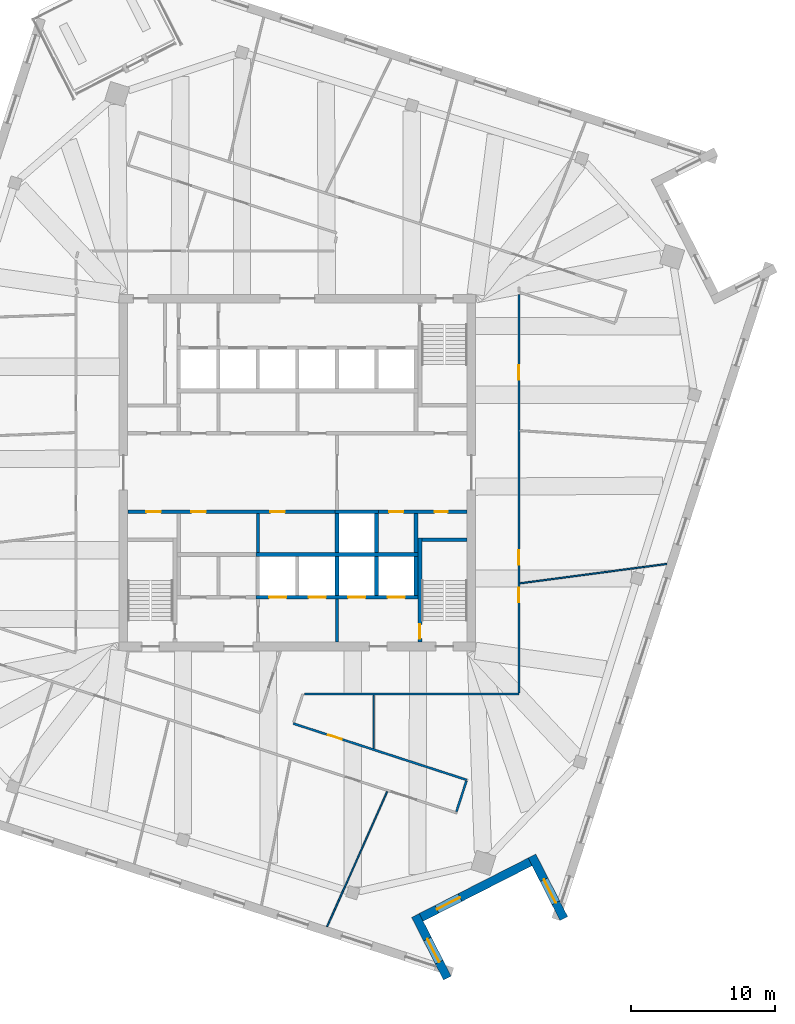
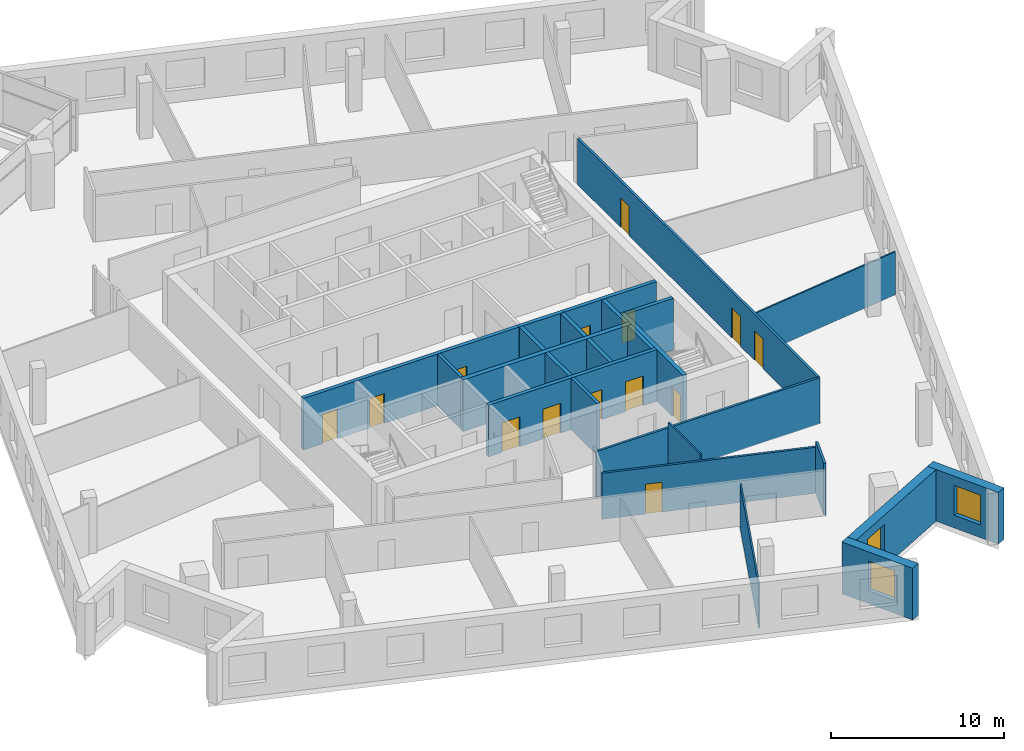
# One storey, part 7 of 13: 25 walls, 14 doors, 3 windows, 17 openings.
"""IFC4 building model written with IfcOpenShell, lengths in metres."""

from ifc_helpers import new_model, si_unit, direction, frame, frame_2d, origin, place, context, subcontext, project, spatial, rectangle, extrude, material, layer, layer_set, type_object, element, fill, save


model = new_model("IFC4")

# Units and contexts
model_context = context("Model", 3, precision=1e-05, world=origin(), true_north=direction((0.0, 1.0)))
body_context = subcontext(model_context, "Body", "Model", "MODEL_VIEW")
ifc_project = project(units=[si_unit("LENGTHUNIT", "METRE"), si_unit("AREAUNIT", "SQUARE_METRE"), si_unit("VOLUMEUNIT", "CUBIC_METRE"), si_unit("PLANEANGLEUNIT", "RADIAN"), si_unit("MASSUNIT", "GRAM", prefix="KILO")], contexts=[model_context])

# Site, building, storey
site_placement = place(None, origin())
site = spatial("IfcSite", under=ifc_project, at=site_placement, CompositionType="ELEMENT")
building_placement = place(site_placement, origin())
building = spatial("IfcBuilding", under=site, at=building_placement, Name="Dilmun Exchange Tower", CompositionType="ELEMENT")
storey_placement = place(building_placement, frame((0.0, 0.0, 320.5)))
storey = spatial("IfcBuildingStorey", under=building, at=storey_placement, Name="L76", CompositionType="ELEMENT", Elevation=320.5)

# Walls
ifc_material_1 = material(Name="Concrete C40/50", Category="concrete")
ifc_layer_1 = layer(ifc_material_1, 0.199951171875)
ifc_layer_set_1 = layer_set([ifc_layer_1], Name="Concrete C40/50")
wall_type_1 = type_object("IfcWallType", Name="Core partition wall 200", PredefinedType="PARTITIONING", material=ifc_layer_set_1)
wall_1_placement = place(storey_placement, frame((2.75, -11.794921875, 0.0), z_axis=(0.0, 0.0, 1.0), x_axis=(0.0, 1.0, 0.0)))
element("IfcWall", 1, at=wall_1_placement, inside=storey, type_object=wall_type_1, Name="L76 core partition wall 02", PredefinedType="PARTITIONING", context=body_context, shape_type="SweptSolid", body=[
    extrude(rectangle(XDim=2.989990234375, YDim=0.199951171875, at=frame_2d((1.4951171875, 0.0))), origin(), (0.0, 0.0, 1.0), 3.64990234375),
])
wall_2_placement = place(storey_placement, frame((-2.75, -5.544921875, 0.0), z_axis=(0.0, 0.0, 1.0), x_axis=(0.0, 1.0, 0.0)))
element("IfcWall", 2, at=wall_2_placement, inside=storey, type_object=wall_type_1, Name="L76 core partition wall 08", PredefinedType="PARTITIONING", context=body_context, shape_type="SweptSolid", body=[
    extrude(rectangle(XDim=2.68994140625, YDim=0.199951171875, at=frame_2d((1.344970703125, 0.0))), origin(), (0.0, 0.0, 1.0), 3.64990234375),
])
ifc_layer_2 = layer(ifc_material_1, 0.25)
ifc_layer_set_2 = layer_set([ifc_layer_2], Name="Concrete C40/50")
wall_type_2 = type_object("IfcWallType", Name="Core partition wall 250", PredefinedType="PARTITIONING", material=ifc_layer_set_2)
wall_3_placement = place(storey_placement, frame((8.25, -5.544921875, 0.0), z_axis=(0.0, 0.0, 1.0), x_axis=(0.0, 1.0, 0.0)))
element("IfcWall", 3, at=wall_3_placement, inside=storey, type_object=wall_type_2, Name="L76 core partition wall 09", PredefinedType="PARTITIONING", context=body_context, shape_type="SweptSolid", body=[
    extrude(rectangle(XDim=2.68994140625, YDim=0.25, at=frame_2d((1.344970703125, 0.0))), origin(), (0.0, 0.0, 1.0), 3.64990234375),
])

# Wall, openings, doors
wall_4_placement = place(storey_placement, frame((-11.794921875, -2.72509765625, 0.0), z_axis=(0.0, 0.0, 1.0), x_axis=(1.0, 0.0, 0.0)))
wall_4 = element("IfcWall", 4, at=wall_4_placement, inside=storey, type_object=wall_type_2, Name="L76 core partition wall 10", PredefinedType="PARTITIONING", context=body_context, shape_type="SweptSolid", body=[
    extrude(rectangle(XDim=14.4150390625, YDim=0.25, at=frame_2d((7.20751953125, 0.0))), origin(), (0.0, 0.0, 1.0), 3.64990234375),
])
opening_1_placement = place(wall_4_placement, frame((1.294921875, 0.0, 0.0)))
opening_1 = element("IfcOpeningElement", 5, at=opening_1_placement, cuts=wall_4, Name="Opening CD4", PredefinedType="OPENING", context=body_context, shape_type="SweptSolid", body=[
    extrude(rectangle(XDim=1.0, YDim=2.10009765625, at=frame_2d((0.5, 1.050048828125))), frame((0.0, 0.135009765625, 0.0), z_axis=(0.0, -1.0, 0.0), x_axis=(1.0, 0.0, 0.0)), (0.0, 0.0, 1.0), 0.27001953125),
])
opening_2_placement = place(wall_4_placement, frame((4.419921875, 0.0, 0.0)))
opening_2 = element("IfcOpeningElement", 6, at=opening_2_placement, cuts=wall_4, Name="Opening CD4", PredefinedType="OPENING", context=body_context, shape_type="SweptSolid", body=[
    extrude(rectangle(XDim=1.0, YDim=2.10009765625, at=frame_2d((0.5, 1.050048828125))), frame((0.0, 0.135009765625, 0.0), z_axis=(0.0, -1.0, 0.0), x_axis=(1.0, 0.0, 0.0)), (0.0, 0.0, 1.0), 0.27001953125),
])
opening_3_placement = place(wall_4_placement, frame((9.919921875, 0.0, 0.0)))
opening_3 = element("IfcOpeningElement", 7, at=opening_3_placement, cuts=wall_4, Name="Opening CD4", PredefinedType="OPENING", context=body_context, shape_type="SweptSolid", body=[
    extrude(rectangle(XDim=1.0, YDim=2.10009765625, at=frame_2d((0.5, 1.050048828125))), frame((0.0, 0.135009765625, 0.0), z_axis=(0.0, -1.0, 0.0), x_axis=(1.0, 0.0, 0.0)), (0.0, 0.0, 1.0), 0.27001953125),
])
ifc_material_2 = material(Name="Fire-rated steel door set", Category="steel")
door_type_1 = type_object("IfcDoorType", Name="Core room door 1000x2100", OperationType="SINGLE_SWING_LEFT", PredefinedType="DOOR", material=ifc_material_2)
door_1_placement = place(opening_1_placement, origin())
door_1 = element("IfcDoor", 8, at=door_1_placement, inside=storey, type_object=door_type_1, Name="L76 door Accessible WC", OperationType="SINGLE_SWING_LEFT", OverallHeight=2.10009765625, OverallWidth=1.0, PredefinedType="DOOR", context=body_context, shape_type="SweptSolid", body=[
    extrude(rectangle(XDim=1.0, YDim=2.10009765625, at=frame_2d((0.5, 1.050048828125))), frame((0.0, 0.02490234375, 0.0), z_axis=(0.0, -1.0, 0.0), x_axis=(1.0, 0.0, 0.0)), (0.0, 0.0, 1.0), 0.050048828125),
])
fill(opening_1, door_1)
door_2_placement = place(opening_2_placement, origin())
door_2 = element("IfcDoor", 9, at=door_2_placement, inside=storey, type_object=door_type_1, Name="L76 door Print and mail room", OperationType="SINGLE_SWING_LEFT", OverallHeight=2.10009765625, OverallWidth=1.0, PredefinedType="DOOR", context=body_context, shape_type="SweptSolid", body=[
    extrude(rectangle(XDim=1.0, YDim=2.10009765625, at=frame_2d((0.5, 1.050048828125))), frame((0.0, 0.02490234375, 0.0), z_axis=(0.0, -1.0, 0.0), x_axis=(1.0, 0.0, 0.0)), (0.0, 0.0, 1.0), 0.050048828125),
])
fill(opening_2, door_2)
door_3_placement = place(opening_3_placement, origin())
door_3 = element("IfcDoor", 10, at=door_3_placement, inside=storey, type_object=door_type_1, Name="L76 door Mechanical room", OperationType="SINGLE_SWING_LEFT", OverallHeight=2.10009765625, OverallWidth=1.0, PredefinedType="DOOR", context=body_context, shape_type="SweptSolid", body=[
    extrude(rectangle(XDim=1.0, YDim=2.10009765625, at=frame_2d((0.5, 1.050048828125))), frame((0.0, 0.02490234375, 0.0), z_axis=(0.0, -1.0, 0.0), x_axis=(1.0, 0.0, 0.0)), (0.0, 0.0, 1.0), 0.050048828125),
])
fill(opening_3, door_3)

wall_5_placement = place(storey_placement, frame((5.6298828125, -2.72509765625, 0.0), z_axis=(0.0, 0.0, 1.0), x_axis=(1.0, 0.0, 0.0)))
wall_5 = element("IfcWall", 11, at=wall_5_placement, inside=storey, type_object=wall_type_2, Name="L76 core partition wall 11", PredefinedType="PARTITIONING", context=body_context, shape_type="SweptSolid", body=[
    extrude(rectangle(XDim=6.1650390625, YDim=0.25, at=frame_2d((3.08251953125, 0.0))), origin(), (0.0, 0.0, 1.0), 3.64990234375),
])
opening_4_placement = place(wall_5_placement, frame((0.7451171875, 0.0, 0.0)))
opening_4 = element("IfcOpeningElement", 12, at=opening_4_placement, cuts=wall_5, Name="Opening CD4", PredefinedType="OPENING", context=body_context, shape_type="SweptSolid", body=[
    extrude(rectangle(XDim=1.0, YDim=2.10009765625, at=frame_2d((0.5, 1.050048828125))), frame((0.0, 0.135009765625, 0.0), z_axis=(0.0, -1.0, 0.0), x_axis=(1.0, 0.0, 0.0)), (0.0, 0.0, 1.0), 0.27001953125),
])
opening_5_placement = place(wall_5_placement, frame((3.919921875, 0.0, 0.0)))
opening_5 = element("IfcOpeningElement", 13, at=opening_5_placement, cuts=wall_5, Name="Opening CD6", PredefinedType="OPENING", context=body_context, shape_type="SweptSolid", body=[
    extrude(rectangle(XDim=0.89990234375, YDim=2.10009765625, at=frame_2d((0.449951171875, 1.050048828125))), frame((0.0, 0.135009765625, 0.0), z_axis=(0.0, -1.0, 0.0), x_axis=(1.0, 0.0, 0.0)), (0.0, 0.0, 1.0), 0.27001953125),
])
door_4_placement = place(opening_4_placement, origin())
door_4 = element("IfcDoor", 14, at=door_4_placement, inside=storey, type_object=door_type_1, Name="L76 door Cleaners' store", OperationType="SINGLE_SWING_LEFT", OverallHeight=2.10009765625, OverallWidth=1.0, PredefinedType="DOOR", context=body_context, shape_type="SweptSolid", body=[
    extrude(rectangle(XDim=1.0, YDim=2.10009765625, at=frame_2d((0.5, 1.050048828125))), frame((0.0, 0.02490234375, 0.0), z_axis=(0.0, -1.0, 0.0), x_axis=(1.0, 0.0, 0.0)), (0.0, 0.0, 1.0), 0.050048828125),
])
fill(opening_4, door_4)
door_type_2 = type_object("IfcDoorType", Name="Core room door 900x2100", OperationType="SINGLE_SWING_LEFT", PredefinedType="DOOR", material=ifc_material_2)
door_5_placement = place(opening_5_placement, origin())
door_5 = element("IfcDoor", 15, at=door_5_placement, inside=storey, type_object=door_type_2, Name="L76 door Comms riser", OperationType="SINGLE_SWING_LEFT", OverallHeight=2.10009765625, OverallWidth=0.89990234375, PredefinedType="DOOR", context=body_context, shape_type="SweptSolid", body=[
    extrude(rectangle(XDim=0.89990234375, YDim=2.10009765625, at=frame_2d((0.449951171875, 1.050048828125))), frame((0.0, 0.02490234375, 0.0), z_axis=(0.0, -1.0, 0.0), x_axis=(1.0, 0.0, 0.0)), (0.0, 0.0, 1.0), 0.050048828125),
])
fill(opening_5, door_5)

# Wall, opening, door
ifc_material_3 = material(Name="Corridor wall 150")
ifc_layer_3 = layer(ifc_material_3, 0.14990234375)
ifc_layer_set_3 = layer_set([ifc_layer_3], Name="Corridor wall 150")
wall_type_3 = type_object("IfcWallType", Name="Corridor wall 150", PredefinedType="PARTITIONING", material=ifc_layer_set_3)
wall_6_placement = place(storey_placement, frame((-0.291015625, -17.4541015625, 0.0), z_axis=(0.0, 0.0, 1.0), x_axis=(0.951062767237, -0.308997755292, 0.0)))
wall_6 = element("IfcWall", 16, at=wall_6_placement, inside=storey, type_object=wall_type_3, Name="Corridor wall", PredefinedType="PARTITIONING", context=body_context, shape_type="SweptSolid", body=[
    extrude(rectangle(XDim=12.68896484375, YDim=0.14990234375, at=frame_2d((6.344482421875, 0.0))), origin(), (0.0, 0.0, 1.0), 3.25),
])
opening_6_placement = place(wall_6_placement, frame((2.550048828125, 0.0, 0.0)))
opening_6 = element("IfcOpeningElement", 17, at=opening_6_placement, cuts=wall_6, Name="Opening TF75-D13", PredefinedType="OPENING", context=body_context, shape_type="SweptSolid", body=[
    extrude(rectangle(XDim=1.0, YDim=2.10009765625, at=frame_2d((0.5, 1.050048828125))), frame((0.0, 0.0849609375, 0.0), z_axis=(0.0, -1.0, 0.0), x_axis=(1.0, 0.0, 0.0)), (0.0, 0.0, 1.0), 0.169921875),
])
ifc_material_4 = material(Name="Fire door 1000 x 2100")
door_type_3 = type_object("IfcDoorType", Name="Fire door 1000 x 2100", OperationType="NOTDEFINED", PredefinedType="DOOR", material=ifc_material_4)
door_6_placement = place(opening_6_placement, origin())
door_6 = element("IfcDoor", 18, at=door_6_placement, inside=storey, type_object=door_type_3, Name="Door TF75-D13", OperationType="SINGLE_SWING_RIGHT", OverallHeight=2.10009765625, OverallWidth=1.0, PredefinedType="DOOR", context=body_context, shape_type="SweptSolid", body=[
    extrude(rectangle(XDim=1.0, YDim=2.10009765625, at=frame_2d((0.5, 1.050048828125))), frame((0.0, 0.02490234375, 0.0), z_axis=(0.0, -1.0, 0.0), x_axis=(1.0, 0.0, 0.0)), (0.0, 0.0, 1.0), 0.050048828125),
])
fill(opening_6, door_6)

# Walls
wall_7_placement = place(storey_placement, frame((0.479248046875, -15.39990234375, 0.0), z_axis=(0.0, 0.0, 1.0), x_axis=(1.0, 0.0, 0.0)))
element("IfcWall", 19, at=wall_7_placement, inside=storey, type_object=wall_type_3, Name="Corridor wall", PredefinedType="PARTITIONING", context=body_context, shape_type="SweptSolid", body=[
    extrude(rectangle(XDim=14.920654296875, YDim=0.14990234375, at=frame_2d((7.46044921875, 0.0))), origin(), (0.0, 0.0, 1.0), 3.25),
])
wall_8_placement = place(storey_placement, frame((11.05810546875, -23.586669921875, 0.0), z_axis=(0.0, 0.0, 1.0), x_axis=(0.309157203415, 0.95101094819, 0.0)))
element("IfcWall", 20, at=wall_8_placement, inside=storey, type_object=wall_type_3, Name="Corridor wall", PredefinedType="PARTITIONING", context=body_context, shape_type="SweptSolid", body=[
    extrude(rectangle(XDim=2.250732421875, YDim=0.14990234375, at=frame_2d((1.12548828125, 0.0))), origin(), (0.0, 0.0, 1.0), 3.64990234375),
])

# Wall, openings, doors
wall_9_placement = place(storey_placement, frame((15.39990234375, -15.324951171875, 0.0), z_axis=(0.0, 0.0, 1.0), x_axis=(0.0, 1.0, 0.0)))
wall_9 = element("IfcWall", 21, at=wall_9_placement, inside=storey, type_object=wall_type_3, Name="Corridor wall", PredefinedType="PARTITIONING", context=body_context, shape_type="SweptSolid", body=[
    extrude(rectangle(XDim=27.723876953125, YDim=0.14990234375, at=frame_2d((13.86181640625, 0.0))), origin(), (0.0, 0.0, 1.0), 3.25),
])
opening_7_placement = place(wall_9_placement, frame((6.300048828125, 0.0, 0.0)))
opening_7 = element("IfcOpeningElement", 22, at=opening_7_placement, cuts=wall_9, Name="Opening TF75-D17", PredefinedType="OPENING", context=body_context, shape_type="SweptSolid", body=[
    extrude(rectangle(XDim=1.0, YDim=2.10009765625, at=frame_2d((0.5, 1.050048828125))), frame((0.0, 0.0849609375, 0.0), z_axis=(0.0, -1.0, 0.0), x_axis=(1.0, 0.0, 0.0)), (0.0, 0.0, 1.0), 0.169921875),
])
opening_8_placement = place(wall_9_placement, frame((8.910888671875, 0.0, 0.0)))
opening_8 = element("IfcOpeningElement", 23, at=opening_8_placement, cuts=wall_9, Name="Opening TF75-D18", PredefinedType="OPENING", context=body_context, shape_type="SweptSolid", body=[
    extrude(rectangle(XDim=1.0, YDim=2.10009765625, at=frame_2d((0.5, 1.050048828125))), frame((0.0, 0.0849609375, 0.0), z_axis=(0.0, -1.0, 0.0), x_axis=(1.0, 0.0, 0.0)), (0.0, 0.0, 1.0), 0.169921875),
])
opening_9_placement = place(wall_9_placement, frame((21.79345703125, 0.0, 0.0)))
opening_9 = element("IfcOpeningElement", 24, at=opening_9_placement, cuts=wall_9, Name="Opening TF75-D20", PredefinedType="OPENING", context=body_context, shape_type="SweptSolid", body=[
    extrude(rectangle(XDim=1.0, YDim=2.10009765625, at=frame_2d((0.5, 1.050048828125))), frame((0.0, 0.0849609375, 0.0), z_axis=(0.0, -1.0, 0.0), x_axis=(1.0, 0.0, 0.0)), (0.0, 0.0, 1.0), 0.169921875),
])
door_7_placement = place(opening_7_placement, frame((1.0, 0.0, 0.0), z_axis=(0.0, 0.0, 1.0), x_axis=(-1.0, 0.0, 0.0)))
door_7 = element("IfcDoor", 25, at=door_7_placement, inside=storey, type_object=door_type_3, Name="Door TF75-D17", OperationType="SINGLE_SWING_RIGHT", OverallHeight=2.10009765625, OverallWidth=1.0, PredefinedType="DOOR", context=body_context, shape_type="SweptSolid", body=[
    extrude(rectangle(XDim=1.0, YDim=2.10009765625, at=frame_2d((0.5, 1.050048828125))), frame((0.0, 0.02490234375, 0.0), z_axis=(0.0, -1.0, 0.0), x_axis=(1.0, 0.0, 0.0)), (0.0, 0.0, 1.0), 0.050048828125),
])
fill(opening_7, door_7)
door_8_placement = place(opening_8_placement, frame((1.0, 0.0, 0.0), z_axis=(0.0, 0.0, 1.0), x_axis=(-1.0, 0.0, 0.0)))
door_8 = element("IfcDoor", 26, at=door_8_placement, inside=storey, type_object=door_type_3, Name="Door TF75-D18", OperationType="SINGLE_SWING_LEFT", OverallHeight=2.10009765625, OverallWidth=1.0, PredefinedType="DOOR", context=body_context, shape_type="SweptSolid", body=[
    extrude(rectangle(XDim=1.0, YDim=2.10009765625, at=frame_2d((0.5, 1.050048828125))), frame((0.0, 0.02490234375, 0.0), z_axis=(0.0, -1.0, 0.0), x_axis=(1.0, 0.0, 0.0)), (0.0, 0.0, 1.0), 0.050048828125),
])
fill(opening_8, door_8)
door_9_placement = place(opening_9_placement, frame((1.0, 0.0, 0.0), z_axis=(0.0, 0.0, 1.0), x_axis=(-1.0, 0.0, 0.0)))
door_9 = element("IfcDoor", 27, at=door_9_placement, inside=storey, type_object=door_type_3, Name="Door TF75-D20", OperationType="SINGLE_SWING_RIGHT", OverallHeight=2.10009765625, OverallWidth=1.0, PredefinedType="DOOR", context=body_context, shape_type="SweptSolid", body=[
    extrude(rectangle(XDim=1.0, YDim=2.10009765625, at=frame_2d((0.5, 1.050048828125))), frame((0.0, 0.02490234375, 0.0), z_axis=(0.0, -1.0, 0.0), x_axis=(1.0, 0.0, 0.0)), (0.0, 0.0, 1.0), 0.050048828125),
])
fill(opening_9, door_9)

# Walls
ifc_layer_4 = layer(ifc_material_1, 0.300048828125)
ifc_layer_set_4 = layer_set([ifc_layer_4], Name="Concrete C40/50")
wall_type_4 = type_object("IfcWallType", Name="Lift shaft shared wall 300", PredefinedType="SOLIDWALL", material=ifc_layer_set_4)
wall_10_placement = place(storey_placement, frame((-2.875, -5.699951171875, 0.0), z_axis=(0.0, 0.0, 1.0), x_axis=(1.0, 0.0, 0.0)))
element("IfcWall", 28, at=wall_10_placement, inside=storey, type_object=wall_type_4, Name="L76 lift shaft rear wall S", PredefinedType="SOLIDWALL", context=body_context, shape_type="SweptSolid", body=[
    extrude(rectangle(XDim=11.25, YDim=0.300048828125, at=frame_2d((5.625, 0.0))), origin(), (0.0, 0.0, 1.0), 3.64990234375),
])
ifc_layer_5 = layer(ifc_material_1, 0.25)
ifc_layer_set_5 = layer_set([ifc_layer_5], Name="Concrete C40/50")
wall_type_5 = type_object("IfcWallType", Name="Lift shaft wall 250", PredefinedType="SOLIDWALL", material=ifc_layer_set_5)
wall_11_placement = place(storey_placement, frame((2.625, -2.72509765625, 0.0), z_axis=(0.0, 0.0, 1.0), x_axis=(1.0, 0.0, 0.0)))
element("IfcWall", 29, at=wall_11_placement, inside=storey, type_object=wall_type_5, Name="L76 lift shaft front wall S1", PredefinedType="SOLIDWALL", context=body_context, shape_type="SweptSolid", body=[
    extrude(rectangle(XDim=3.0, YDim=0.25, at=frame_2d((1.5, 0.0))), origin(), (0.0, 0.0, 1.0), 3.64990234375),
])
for number, where, z_axis, x_axis, name in (
    (30, (2.75, -5.550048828125, 0.0), (0.0, 0.0, 1.0), (0.0, 1.0, 0.0), "L76 lift shaft divider S14"),
    (31, (5.5, -5.550048828125, 0.0), (0.0, 0.0, 1.0), (0.0, 1.0, 0.0), "L76 lift shaft divider S15"),
):
    element("IfcWall", number, at=place(storey_placement, frame(where, z_axis=z_axis, x_axis=x_axis)), inside=storey, type_object=wall_type_5, Name=name, PredefinedType="SOLIDWALL", context=body_context, shape_type="SweptSolid", body=[
        extrude(rectangle(XDim=2.699951171875, YDim=0.25, at=frame_2d((1.35009765625, 0.0))), origin(), (0.0, 0.0, 1.0), 3.64990234375),
    ])

# Wall, openings, doors
wall_12_placement = place(storey_placement, frame((-2.875, -8.675048828125, 0.0), z_axis=(0.0, 0.0, 1.0), x_axis=(1.0, 0.0, 0.0)))
wall_12 = element("IfcWall", 32, at=wall_12_placement, inside=storey, type_object=wall_type_5, Name="L76 lift shaft front wall S2", PredefinedType="SOLIDWALL", context=body_context, shape_type="SweptSolid", body=[
    extrude(rectangle(XDim=11.25, YDim=0.25, at=frame_2d((5.625, 0.0))), origin(), (0.0, 0.0, 1.0), 3.64990234375),
])
opening_10_placement = place(wall_12_placement, frame((0.89990234375, 0.0, 0.0)))
opening_10 = element("IfcOpeningElement", 33, at=opening_10_placement, cuts=wall_12, Name="Opening LD", PredefinedType="OPENING", context=body_context, shape_type="SweptSolid", body=[
    extrude(rectangle(XDim=1.199951171875, YDim=2.10009765625, at=frame_2d((0.60009765625, 1.050048828125))), frame((0.0, 0.135009765625, 0.0), z_axis=(0.0, -1.0, 0.0), x_axis=(1.0, 0.0, 0.0)), (0.0, 0.0, 1.0), 0.27001953125),
])
opening_11_placement = place(wall_12_placement, frame((3.64990234375, 0.0, 0.0)))
opening_11 = element("IfcOpeningElement", 34, at=opening_11_placement, cuts=wall_12, Name="Opening LD", PredefinedType="OPENING", context=body_context, shape_type="SweptSolid", body=[
    extrude(rectangle(XDim=1.199951171875, YDim=2.10009765625, at=frame_2d((0.60009765625, 1.050048828125))), frame((0.0, 0.135009765625, 0.0), z_axis=(0.0, -1.0, 0.0), x_axis=(1.0, 0.0, 0.0)), (0.0, 0.0, 1.0), 0.27001953125),
])
opening_12_placement = place(wall_12_placement, frame((6.39990234375, 0.0, 0.0)))
opening_12 = element("IfcOpeningElement", 35, at=opening_12_placement, cuts=wall_12, Name="Opening LD", PredefinedType="OPENING", context=body_context, shape_type="SweptSolid", body=[
    extrude(rectangle(XDim=1.199951171875, YDim=2.10009765625, at=frame_2d((0.60009765625, 1.050048828125))), frame((0.0, 0.135009765625, 0.0), z_axis=(0.0, -1.0, 0.0), x_axis=(1.0, 0.0, 0.0)), (0.0, 0.0, 1.0), 0.27001953125),
])
opening_13_placement = place(wall_12_placement, frame((9.14990234375, 0.0, 0.0)))
opening_13 = element("IfcOpeningElement", 36, at=opening_13_placement, cuts=wall_12, Name="Opening LD", PredefinedType="OPENING", context=body_context, shape_type="SweptSolid", body=[
    extrude(rectangle(XDim=1.199951171875, YDim=2.10009765625, at=frame_2d((0.60009765625, 1.050048828125))), frame((0.0, 0.135009765625, 0.0), z_axis=(0.0, -1.0, 0.0), x_axis=(1.0, 0.0, 0.0)), (0.0, 0.0, 1.0), 0.27001953125),
])
door_type_4 = type_object("IfcDoorType", Name="Lift landing door 1200x2100", OperationType="DOUBLE_DOOR_SLIDING", PredefinedType="DOOR", material=ifc_material_2)
door_10_placement = place(opening_10_placement, origin())
door_10 = element("IfcDoor", 37, at=door_10_placement, inside=storey, type_object=door_type_4, Name="L76 landing door SV1", OperationType="DOUBLE_DOOR_SLIDING", OverallHeight=2.10009765625, OverallWidth=1.199951171875, PredefinedType="DOOR", context=body_context, shape_type="SweptSolid", body=[
    extrude(rectangle(XDim=1.199951171875, YDim=2.10009765625, at=frame_2d((0.60009765625, 1.050048828125))), frame((0.0, 0.02490234375, 0.0), z_axis=(0.0, -1.0, 0.0), x_axis=(1.0, 0.0, 0.0)), (0.0, 0.0, 1.0), 0.050048828125),
])
fill(opening_10, door_10)
door_11_placement = place(opening_11_placement, origin())
door_11 = element("IfcDoor", 38, at=door_11_placement, inside=storey, type_object=door_type_4, Name="L76 landing door SV2", OperationType="DOUBLE_DOOR_SLIDING", OverallHeight=2.10009765625, OverallWidth=1.199951171875, PredefinedType="DOOR", context=body_context, shape_type="SweptSolid", body=[
    extrude(rectangle(XDim=1.199951171875, YDim=2.10009765625, at=frame_2d((0.60009765625, 1.050048828125))), frame((0.0, 0.02490234375, 0.0), z_axis=(0.0, -1.0, 0.0), x_axis=(1.0, 0.0, 0.0)), (0.0, 0.0, 1.0), 0.050048828125),
])
fill(opening_11, door_11)
door_12_placement = place(opening_12_placement, origin())
door_12 = element("IfcDoor", 39, at=door_12_placement, inside=storey, type_object=door_type_4, Name="L76 landing door FF1", OperationType="DOUBLE_DOOR_SLIDING", OverallHeight=2.10009765625, OverallWidth=1.199951171875, PredefinedType="DOOR", context=body_context, shape_type="SweptSolid", body=[
    extrude(rectangle(XDim=1.199951171875, YDim=2.10009765625, at=frame_2d((0.60009765625, 1.050048828125))), frame((0.0, 0.02490234375, 0.0), z_axis=(0.0, -1.0, 0.0), x_axis=(1.0, 0.0, 0.0)), (0.0, 0.0, 1.0), 0.050048828125),
])
fill(opening_12, door_12)
door_13_placement = place(opening_13_placement, origin())
door_13 = element("IfcDoor", 40, at=door_13_placement, inside=storey, type_object=door_type_4, Name="L76 landing door FF2", OperationType="DOUBLE_DOOR_SLIDING", OverallHeight=2.10009765625, OverallWidth=1.199951171875, PredefinedType="DOOR", context=body_context, shape_type="SweptSolid", body=[
    extrude(rectangle(XDim=1.199951171875, YDim=2.10009765625, at=frame_2d((0.60009765625, 1.050048828125))), frame((0.0, 0.02490234375, 0.0), z_axis=(0.0, -1.0, 0.0), x_axis=(1.0, 0.0, 0.0)), (0.0, 0.0, 1.0), 0.050048828125),
])
fill(opening_13, door_13)

# Walls
for number, where, z_axis, x_axis, name in (
    (41, (2.75, -8.550048828125, 0.0), (0.0, 0.0, 1.0), (0.0, 1.0, 0.0), "L76 lift shaft divider S24"),
    (42, (5.5, -8.550048828125, 0.0), (0.0, 0.0, 1.0), (0.0, 1.0, 0.0), "L76 lift shaft divider S25"),
    (43, (8.25, -8.550048828125, 0.0), (0.0, 0.0, 1.0), (0.0, 1.0, 0.0), "L76 lift shaft divider S26"),
):
    element("IfcWall", number, at=place(storey_placement, frame(where, z_axis=z_axis, x_axis=x_axis)), inside=storey, type_object=wall_type_5, Name=name, PredefinedType="SOLIDWALL", context=body_context, shape_type="SweptSolid", body=[
        extrude(rectangle(XDim=2.699951171875, YDim=0.25, at=frame_2d((1.35009765625, 0.0))), origin(), (0.0, 0.0, 1.0), 3.64990234375),
    ])
ifc_material_5 = material(Name="Partition 100")
ifc_layer_6 = layer(ifc_material_5, 0.10009765625)
ifc_layer_set_6 = layer_set([ifc_layer_6], Name="Partition 100")
wall_type_6 = type_object("IfcWallType", Name="Partition 100", PredefinedType="PARTITIONING", material=ifc_layer_set_6)
wall_13_placement = place(storey_placement, frame((2.06494140625, -31.581787109375, 0.0), z_axis=(0.0, 0.0, 1.0), x_axis=(0.406398376822, 0.913695988454, 0.0)))
element("IfcWall", 44, at=wall_13_placement, inside=storey, type_object=wall_type_6, Name="Partition", PredefinedType="PARTITIONING", context=body_context, shape_type="SweptSolid", body=[
    extrude(rectangle(XDim=10.283447265625, YDim=0.10009765625, at=frame_2d((5.1416015625, 0.0))), origin(), (0.0, 0.0, 1.0), 3.050048828125),
])
wall_14_placement = place(storey_placement, frame((5.31005859375, -19.178955078125, 0.0), z_axis=(0.0, 0.0, 1.0), x_axis=(0.0, 1.0, 0.0)))
element("IfcWall", 45, at=wall_14_placement, inside=storey, type_object=wall_type_6, Name="Partition", PredefinedType="PARTITIONING", context=body_context, shape_type="SweptSolid", body=[
    extrude(rectangle(XDim=3.703857421875, YDim=0.10009765625, at=frame_2d((1.85205078125, 0.0))), origin(), (0.0, 0.0, 1.0), 3.64990234375),
])
wall_15_placement = place(storey_placement, frame((15.4814453125, -7.703125, 0.0), z_axis=(0.0, 0.0, 1.0), x_axis=(0.991397882504, 0.130882537286, 0.0)))
element("IfcWall", 46, at=wall_15_placement, inside=storey, type_object=wall_type_6, Name="Partition", PredefinedType="PARTITIONING", context=body_context, shape_type="SweptSolid", body=[
    extrude(rectangle(XDim=10.298583984375, YDim=0.10009765625, at=frame_2d((5.1494140625, 0.0))), origin(), (0.0, 0.0, 1.0), 3.050048828125),
])

# Wall, opening, window
ifc_material_6 = material(Name="Precast concrete C50/60", Category="concrete")
ifc_layer_7 = layer(ifc_material_6, 0.60009765625)
ifc_layer_set_7 = layer_set([ifc_layer_7], Name="Precast concrete C50/60")
wall_type_7 = type_object("IfcWallType", Name="Precast stone-clad wall 600", PredefinedType="STANDARD", material=ifc_layer_set_7)
wall_16_placement = place(storey_placement, frame((10.424560546875, -35.154052734375, 0.0), z_axis=(0.0, 0.0, 1.0), x_axis=(-0.453996896346, 0.891003264926, 0.0)))
wall_16 = element("IfcWall", 47, at=wall_16_placement, inside=storey, type_object=wall_type_7, Name="Facade wall L76-08", PredefinedType="STANDARD", context=body_context, shape_type="SweptSolid", body=[
    extrude(rectangle(XDim=4.885498046875, YDim=0.60009765625, at=frame_2d((2.44287109375, 0.0))), origin(), (0.0, 0.0, 1.0), 3.64990234375),
])
opening_14_placement = place(wall_16_placement, frame((1.242919921875, 0.0, 0.89990234375)))
opening_14 = element("IfcOpeningElement", 48, at=opening_14_placement, cuts=wall_16, Name="Opening W180-210", PredefinedType="OPENING", context=body_context, shape_type="SweptSolid", body=[
    extrude(rectangle(XDim=1.800048828125, YDim=2.10009765625, at=frame_2d((0.89990234375, 1.050048828125))), frame((0.0, 0.31005859375, 0.0), z_axis=(0.0, -1.0, 0.0), x_axis=(1.0, 0.0, 0.0)), (0.0, 0.0, 1.0), 0.6201171875),
])
ifc_material_7 = material(Name="Clear low-emissivity glass in aluminium frame", Category="aluminium")
window_type = type_object("IfcWindowType", Name="Punched window 1800 x 2100", PartitioningType="DOUBLE_PANEL_VERTICAL", PredefinedType="WINDOW", material=ifc_material_7)
window_1_placement = place(opening_14_placement, origin())
window_1 = element("IfcWindow", 49, at=window_1_placement, inside=storey, type_object=window_type, Name="Window 9.1", OverallHeight=2.10009765625, OverallWidth=1.800048828125, PartitioningType="SINGLE_PANEL", PredefinedType="WINDOW", context=body_context, shape_type="SweptSolid", body=[
    extrude(rectangle(XDim=1.800048828125, YDim=2.10009765625, at=frame_2d((0.89990234375, 1.050048828125))), frame((0.0, 0.030029296875, 0.0), z_axis=(0.0, -1.0, 0.0), x_axis=(1.0, 0.0, 0.0)), (0.0, 0.0, 1.0), 0.06005859375),
])
fill(opening_14, window_1)

wall_17_placement = place(storey_placement, frame((8.610107421875, -30.93212890625, 0.0), z_axis=(0.0, 0.0, 1.0), x_axis=(0.891006396021, 0.453990751282, 0.0)))
wall_17 = element("IfcWall", 50, at=wall_17_placement, inside=storey, type_object=wall_type_7, Name="Facade wall L76-09", PredefinedType="STANDARD", context=body_context, shape_type="SweptSolid", body=[
    extrude(rectangle(XDim=8.5, YDim=0.60009765625, at=frame_2d((4.25, 0.0))), origin(), (0.0, 0.0, 1.0), 3.64990234375),
])
opening_15_placement = place(wall_17_placement, frame((1.22509765625, 0.0, 0.89990234375)))
opening_15 = element("IfcOpeningElement", 51, at=opening_15_placement, cuts=wall_17, Name="Opening W180-210", PredefinedType="OPENING", context=body_context, shape_type="SweptSolid", body=[
    extrude(rectangle(XDim=1.800048828125, YDim=2.10009765625, at=frame_2d((0.89990234375, 1.050048828125))), frame((0.0, 0.31005859375, 0.0), z_axis=(0.0, -1.0, 0.0), x_axis=(1.0, 0.0, 0.0)), (0.0, 0.0, 1.0), 0.6201171875),
])
window_2_placement = place(opening_15_placement, origin())
window_2 = element("IfcWindow", 52, at=window_2_placement, inside=storey, type_object=window_type, Name="Window 10.1", OverallHeight=2.10009765625, OverallWidth=1.800048828125, PartitioningType="SINGLE_PANEL", PredefinedType="WINDOW", context=body_context, shape_type="SweptSolid", body=[
    extrude(rectangle(XDim=1.800048828125, YDim=2.10009765625, at=frame_2d((0.89990234375, 1.050048828125))), frame((0.0, 0.030029296875, 0.0), z_axis=(0.0, -1.0, 0.0), x_axis=(1.0, 0.0, 0.0)), (0.0, 0.0, 1.0), 0.06005859375),
])
fill(opening_15, window_2)

wall_18_placement = place(storey_placement, frame((16.314697265625, -26.669677734375, 0.0), z_axis=(0.0, 0.0, 1.0), x_axis=(0.453996896346, -0.891003264926, 0.0)))
wall_18 = element("IfcWall", 53, at=wall_18_placement, inside=storey, type_object=wall_type_7, Name="Facade wall L76-10", PredefinedType="STANDARD", context=body_context, shape_type="SweptSolid", body=[
    extrude(rectangle(XDim=4.885498046875, YDim=0.60009765625, at=frame_2d((2.44287109375, 0.0))), origin(), (0.0, 0.0, 1.0), 3.64990234375),
])
opening_16_placement = place(wall_18_placement, frame((1.8427734375, 0.0, 0.89990234375)))
opening_16 = element("IfcOpeningElement", 54, at=opening_16_placement, cuts=wall_18, Name="Opening W180-210", PredefinedType="OPENING", context=body_context, shape_type="SweptSolid", body=[
    extrude(rectangle(XDim=1.800048828125, YDim=2.10009765625, at=frame_2d((0.89990234375, 1.050048828125))), frame((0.0, 0.31005859375, 0.0), z_axis=(0.0, -1.0, 0.0), x_axis=(1.0, 0.0, 0.0)), (0.0, 0.0, 1.0), 0.6201171875),
])
window_3_placement = place(opening_16_placement, origin())
window_3 = element("IfcWindow", 55, at=window_3_placement, inside=storey, type_object=window_type, Name="Window 11.1", OverallHeight=2.10009765625, OverallWidth=1.800048828125, PartitioningType="SINGLE_PANEL", PredefinedType="WINDOW", context=body_context, shape_type="SweptSolid", body=[
    extrude(rectangle(XDim=1.800048828125, YDim=2.10009765625, at=frame_2d((0.89990234375, 1.050048828125))), frame((0.0, 0.030029296875, 0.0), z_axis=(0.0, -1.0, 0.0), x_axis=(1.0, 0.0, 0.0)), (0.0, 0.0, 1.0), 0.06005859375),
])
fill(opening_16, window_3)

# Wall
ifc_layer_8 = layer(ifc_material_1, 0.25)
ifc_layer_set_8 = layer_set([ifc_layer_8], Name="Concrete C40/50")
wall_type_8 = type_object("IfcWallType", Name="Stair end wall 250", PredefinedType="SOLIDWALL", material=ifc_layer_set_8)
wall_19_placement = place(storey_placement, frame((8.64990234375, -4.675048828125, 0.0), z_axis=(0.0, 0.0, 1.0), x_axis=(1.0, 0.0, 0.0)))
element("IfcWall", 56, at=wall_19_placement, inside=storey, type_object=wall_type_8, Name="L76 ST3 far wall", PredefinedType="SOLIDWALL", context=body_context, shape_type="SweptSolid", body=[
    extrude(rectangle(XDim=3.150146484375, YDim=0.25, at=frame_2d((1.5751953125, 0.0))), origin(), (0.0, 0.0, 1.0), 3.64990234375),
])

# Wall, opening, door
ifc_layer_9 = layer(ifc_material_1, 0.27490234375)
ifc_layer_set_9 = layer_set([ifc_layer_9], Name="Concrete C40/50")
wall_type_9 = type_object("IfcWallType", Name="Stair wall 275", PredefinedType="SOLIDWALL", material=ifc_layer_set_9)
wall_20_placement = place(storey_placement, frame((8.512451171875, -4.550048828125, 0.0), z_axis=(0.0, 0.0, 1.0), x_axis=(0.0, -1.0, 0.0)))
wall_20 = element("IfcWall", 57, at=wall_20_placement, inside=storey, type_object=wall_type_9, Name="L76 ST3 wall to lift block", PredefinedType="SOLIDWALL", context=body_context, shape_type="SweptSolid", body=[
    extrude(rectangle(XDim=7.25, YDim=0.27490234375, at=frame_2d((3.625, 0.0))), origin(), (0.0, 0.0, 1.0), 3.64990234375),
])
opening_17_placement = place(wall_20_placement, frame((6.0, 0.0, 0.0)))
opening_17 = element("IfcOpeningElement", 58, at=opening_17_placement, cuts=wall_20, Name="Opening CD4", PredefinedType="OPENING", context=body_context, shape_type="SweptSolid", body=[
    extrude(rectangle(XDim=1.0, YDim=2.10009765625, at=frame_2d((0.5, 1.050048828125))), frame((0.0, 0.1474609375, 0.0), z_axis=(0.0, -1.0, 0.0), x_axis=(1.0, 0.0, 0.0)), (0.0, 0.0, 1.0), 0.294921875),
])
door_14_placement = place(opening_17_placement, origin())
door_14 = element("IfcDoor", 59, at=door_14_placement, inside=storey, type_object=door_type_1, Name="L76 door ST3 from lobby", OperationType="SINGLE_SWING_LEFT", OverallHeight=2.10009765625, OverallWidth=1.0, PredefinedType="DOOR", context=body_context, shape_type="SweptSolid", body=[
    extrude(rectangle(XDim=1.0, YDim=2.10009765625, at=frame_2d((0.5, 1.050048828125))), frame((0.0, 0.02490234375, 0.0), z_axis=(0.0, -1.0, 0.0), x_axis=(1.0, 0.0, 0.0)), (0.0, 0.0, 1.0), 0.050048828125),
])
fill(opening_17, door_14)

save(model, "model.ifc")
